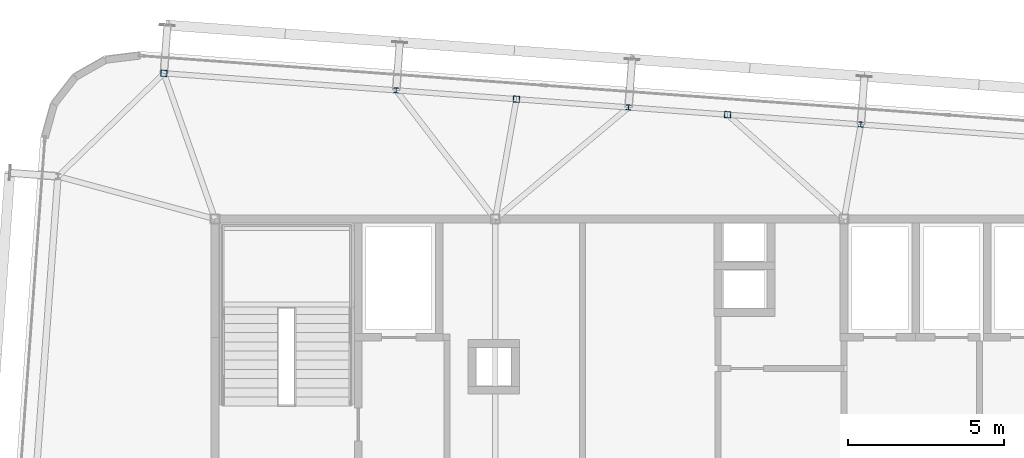
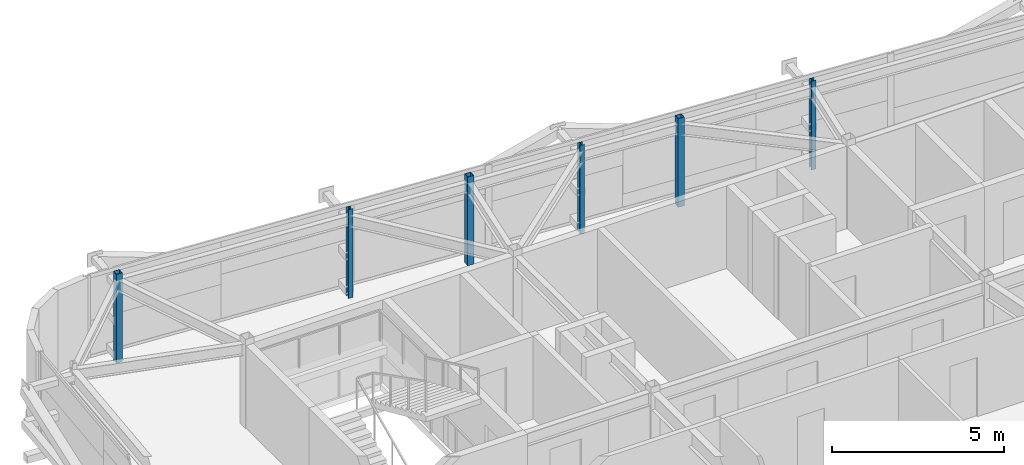
# One storey, part 7 of 34: 6 columns.
"""IFC4 building model written with IfcOpenShell, lengths in metres."""

from ifc_helpers import new_model, si_unit, direction, frame, origin, origin_2d, place, context, subcontext, project, spatial, hollow_rectangle, i_section, extrude, source, transform, mapped, material, material_profile, profile_set, type_object, element, save


model = new_model("IFC4")

# Units and contexts
model_context = context("Model", 3, precision=1e-05, world=origin(), true_north=direction((0.0, 1.0)))
body_context = subcontext(model_context, "Body", "Model", "MODEL_VIEW")
ifc_project = project(units=[si_unit("LENGTHUNIT", "METRE"), si_unit("AREAUNIT", "SQUARE_METRE"), si_unit("VOLUMEUNIT", "CUBIC_METRE"), si_unit("PLANEANGLEUNIT", "RADIAN"), si_unit("MASSUNIT", "GRAM", prefix="KILO")], contexts=[model_context])

# Site, building, storey
site_placement = place(None, origin())
site = spatial("IfcSite", under=ifc_project, at=site_placement, CompositionType="ELEMENT")
building_placement = place(site_placement, origin())
building = spatial("IfcBuilding", under=site, at=building_placement, Name="Taldren Reach Tower", CompositionType="ELEMENT")
storey_placement = place(building_placement, frame((0.0, 0.0, 239.75)))
storey = spatial("IfcBuildingStorey", under=building, at=storey_placement, Name="L73", CompositionType="ELEMENT", Elevation=239.75)

# Columns
ifc_material_1 = material(Name="Steel Gr 350 (C350L0)", Category="steel")
ifc_material_profile_1 = material_profile(ifc_material_1, hollow_rectangle(XDim=0.199951171875, YDim=0.199951171875, WallThickness=0.009033203125, at=origin_2d()), Name="200x200x9.0SHS")
ifc_profile_set_1 = profile_set([ifc_material_profile_1], Name="Steel Gr 350 (C350L0)")
column_type_1 = type_object("IfcColumnType", Name="COL-SHS200", PredefinedType="COLUMN", material=ifc_profile_set_1)
shared_shape_1 = source(origin(), body_context, "Body", "SweptSolid", [
    extrude(hollow_rectangle(XDim=0.199951171875, YDim=0.199951171875, WallThickness=0.009033203125, at=origin_2d()), origin(), (0.0, 0.0, 1.0), 3.14990234375),
])
for number, where, z_axis, x_axis, name in (
    (1, (17.35986328125, 36.678955078125, 0.0), (0.0, 0.0, 1.0), (0.997314477224, -0.073238197128, 0.0), "Block B5 perimeter column N1 L73"),
    (2, (28.67919921875, 35.84765625, 0.0), (0.0, 0.0, 1.0), (0.997314477224, -0.073238197128, 0.0), "Block B5 perimeter column PJN1 L73"),
    (3, (35.4609375, 35.349609375, 0.0), (0.0, 0.0, 1.0), (0.997314477224, -0.073238197128, 0.0), "Block B5 perimeter column PJN2 L73"),
):
    element("IfcColumn", number, at=place(storey_placement, frame(where, z_axis=z_axis, x_axis=x_axis)), inside=storey, type_object=column_type_1, Name=name, PredefinedType="COLUMN", context=body_context, shape_type="MappedRepresentation", body=[
        mapped(shared_shape_1, transform((0.0, 0.0, 0.0), scale=1.0)),
    ])
ifc_material_2 = material(Name="Steel Gr 350 (350PLUS)", Category="steel")
ifc_material_profile_2 = material_profile(ifc_material_2, i_section(OverallWidth=0.154052734375, OverallDepth=0.162109375, WebThickness=0.008056640625, FlangeThickness=0.011474609375, at=origin_2d()), Name="150UC37.2")
ifc_profile_set_2 = profile_set([ifc_material_profile_2], Name="Steel Gr 350 (350PLUS)")
column_type_2 = type_object("IfcColumnType", Name="COL-UC150", PredefinedType="COLUMN", material=ifc_profile_set_2)
shared_shape_2 = source(origin(), body_context, "Body", "SweptSolid", [
    extrude(i_section(OverallWidth=0.154052734375, OverallDepth=0.162109375, WebThickness=0.008056640625, FlangeThickness=0.011474609375, at=origin_2d()), origin(), (0.0, 0.0, 1.0), 3.14990234375),
])
for number, where, z_axis, x_axis, name in (
    (4, (24.819580078125, 36.131103515625, 0.0), (0.0, 0.0, 1.0), (0.997314477224, -0.073238197128, 0.0), "Block B5 perimeter column N2 L73"),
    (5, (32.279541015625, 35.583251953125, 0.0), (0.0, 0.0, 1.0), (0.997314477224, -0.073238197128, 0.0), "Block B5 perimeter column N3 L73"),
    (6, (39.739501953125, 35.035400390625, 0.0), (0.0, 0.0, 1.0), (0.997314477224, -0.073238197128, 0.0), "Block B5 perimeter column N4 L73"),
):
    element("IfcColumn", number, at=place(storey_placement, frame(where, z_axis=z_axis, x_axis=x_axis)), inside=storey, type_object=column_type_2, Name=name, PredefinedType="COLUMN", context=body_context, shape_type="MappedRepresentation", body=[
        mapped(shared_shape_2, transform((0.0, 0.0, 0.0), scale=1.0)),
    ])

save(model, "model.ifc")
